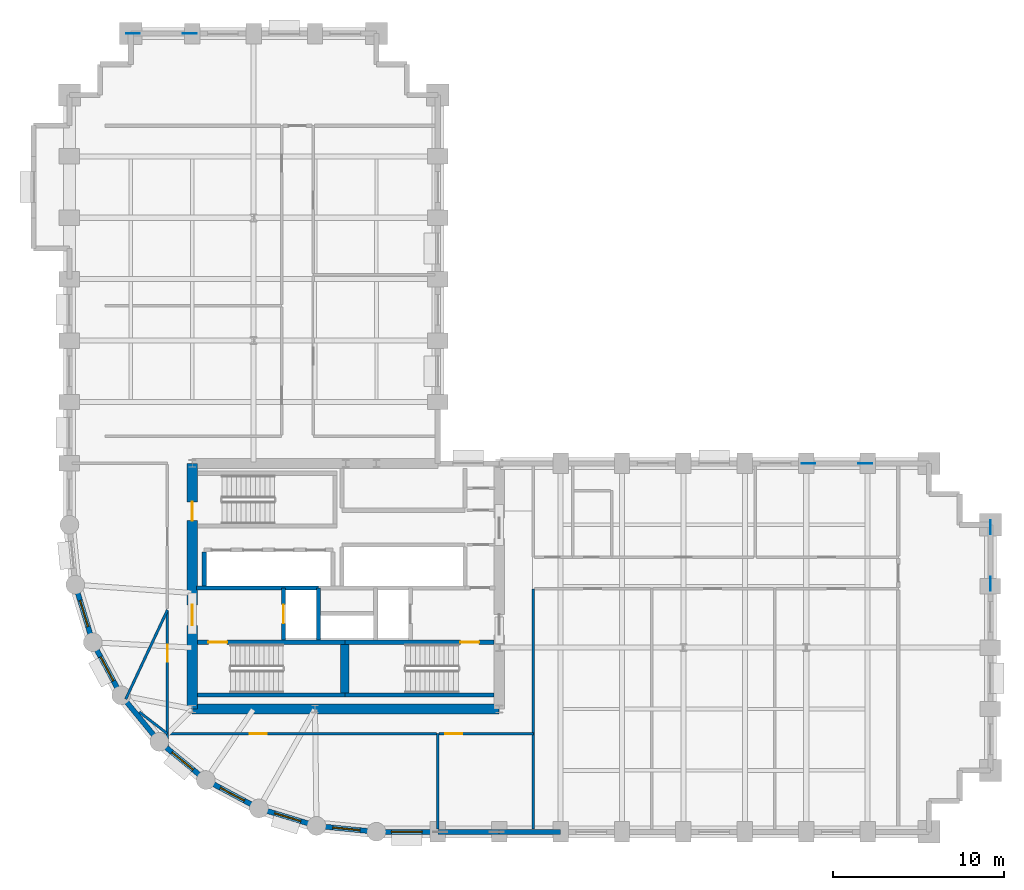
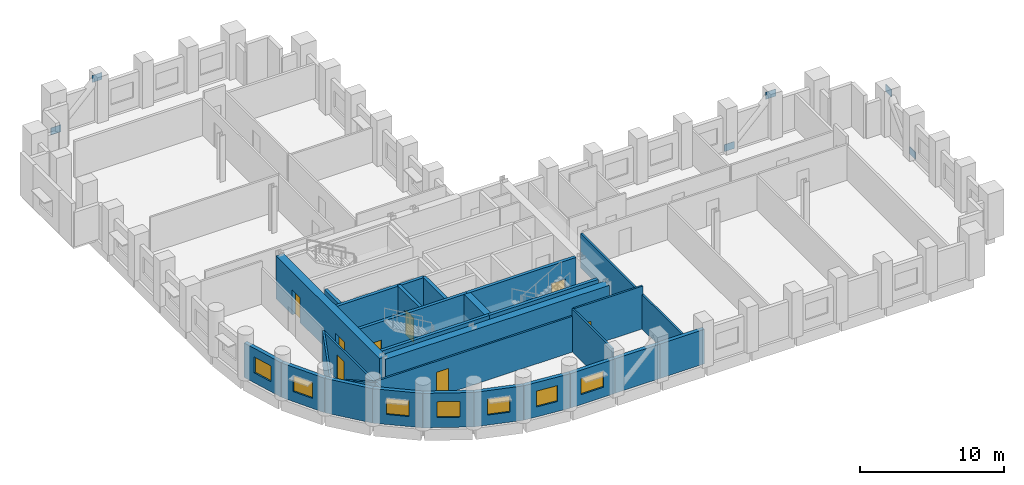
# One storey, part 5 of 11: 28 walls, 8 doors, 7 windows, 6 plates, 15 openings.
"""IFC4 building model written with IfcOpenShell, lengths in metres."""

import ifcopenshell
import ifcopenshell.guid

model = None  # the IFC model being written
_history = None  # IfcOwnerHistory: only IFC2X3 demands one
_inside = {}  # id of a spatial element -> (the spatial element, [elements in it])
_under = {}  # id of a project, library or spatial element -> (it, [spatial elements below it])
_declared = {}  # id of a project -> (the project, [libraries it declares])
_typed = {}  # id of a type object -> (the type object, [elements of that type])
_made_of = {}  # id of a material, layer set ... -> (it, [elements and type objects made of it])


def new_model(schema):
    """Start an empty IFC model of exactly this schema.

    Asked for "IFC4X3", IfcOpenShell would pick the latest addendum, in which some entities
    have other attributes; the version numbers below select the first issue.
    IFC2X3 requires an IfcOwnerHistory on every rooted entity: one is made here for all.
    """
    global model, _history
    if schema == "IFC4X3":
        model = ifcopenshell.file(schema_version=(4, 3, 0, 0))
    else:
        model = ifcopenshell.file(schema=schema)
    _inside.clear()
    _under.clear()
    _declared.clear()
    _typed.clear()
    _made_of.clear()
    _history = None
    if model.schema == "IFC2X3":
        org = make("IfcOrganization", Name="unknown")
        user = make(
            "IfcPersonAndOrganization",
            ThePerson=make("IfcPerson", FamilyName="unknown"),
            TheOrganization=org,
        )
        app = make(
            "IfcApplication",
            ApplicationDeveloper=org,
            Version="unknown",
            ApplicationFullName="unknown",
            ApplicationIdentifier="unknown",
        )
        _history = make(
            "IfcOwnerHistory",
            OwningUser=user,
            OwningApplication=app,
            ChangeAction="ADDED",
            CreationDate=0,
        )
    return model


def make(cls, **values):
    """One entity of the class cls with the attributes given. An attribute that is None is left unset."""
    return model.create_entity(
        cls, **{name: value for name, value in values.items() if value is not None}
    )


def rooted(cls, **values):
    """An entity with a GlobalId (a new one), such as an element, a storey or a relation."""
    return make(cls, GlobalId=ifcopenshell.guid.new(), OwnerHistory=_history, **values)


def si_unit(unit_type, name, prefix=None):
    """IfcSIUnit, for example si_unit("LENGTHUNIT", "METRE", prefix="MILLI")."""
    return make("IfcSIUnit", UnitType=unit_type, Prefix=prefix, Name=name)


def assignment(units):
    """IfcUnitAssignment: the units of a project."""
    return None if units is None else make("IfcUnitAssignment", Units=units)


def point(xyz):
    """IfcCartesianPoint."""
    return None if xyz is None else make("IfcCartesianPoint", Coordinates=xyz)


def direction(xyz):
    """IfcDirection."""
    return None if xyz is None else make("IfcDirection", DirectionRatios=xyz)


def frame(location, z_axis=None, x_axis=None):
    """IfcAxis2Placement3D, a coordinate frame: its origin and axes. An axis left out is left unset."""
    return make(
        "IfcAxis2Placement3D",
        Location=point(location),
        Axis=direction(z_axis),
        RefDirection=direction(x_axis),
    )


def frame_2d(location, x_axis=None):
    """IfcAxis2Placement2D, a coordinate frame in the plane: its origin and x axis."""
    return make(
        "IfcAxis2Placement2D", Location=point(location), RefDirection=direction(x_axis)
    )


def origin():
    """The frame at (0, 0, 0) with its axes left unset."""
    return frame((0.0, 0.0, 0.0))


def origin_2d():
    """The frame at (0, 0) in the plane with its x axis left unset."""
    return frame_2d((0.0, 0.0))


def place(relative_to, where):
    """IfcLocalPlacement: puts the frame where relative to a parent placement (None: the world)."""
    return make(
        "IfcLocalPlacement", PlacementRelTo=relative_to, RelativePlacement=where
    )


def context(
    kind, dimensions, precision=None, world=None, true_north=None, identifier=None
):
    """IfcGeometricRepresentationContext, for example the 3D "Model" context."""
    return make(
        "IfcGeometricRepresentationContext",
        ContextIdentifier=identifier,
        ContextType=kind,
        CoordinateSpaceDimension=dimensions,
        Precision=precision,
        WorldCoordinateSystem=world,
        TrueNorth=true_north,
    )


def subcontext(parent, identifier, kind, view, scale=None):
    """IfcGeometricRepresentationSubContext, for example "Body" below "Model"."""
    return make(
        "IfcGeometricRepresentationSubContext",
        ContextIdentifier=identifier,
        ContextType=kind,
        ParentContext=parent,
        TargetScale=scale,
        TargetView=view,
    )


def project(units=None, contexts=None):
    """IfcProject with its units and contexts."""
    return rooted(
        "IfcProject",
        Name="project",
        RepresentationContexts=contexts,
        UnitsInContext=assignment(units),
    )


def spatial(cls, under=None, at=None, **own):
    """A site, building, storey or space (cls), placed at a placement, below another one or the project."""
    s = rooted(cls, ObjectPlacement=at, **own)
    if under is not None:
        _under.setdefault(under.id(), (under, []))[1].append(s)
    return s


def profile(cls, at=None, kind="AREA", **sizes):
    """A parametric profile (cls). Its sizes go by their IFC names, for example OverallWidth=200.0."""
    return make(cls, ProfileType=kind, Position=at, **sizes)


def rectangle(**sizes):
    """IfcRectangleProfileDef."""
    return profile("IfcRectangleProfileDef", **sizes)


def extrude(swept, where, along, depth):
    """IfcExtrudedAreaSolid: the profile swept, set in the frame where, extruded along a direction by depth."""
    return make(
        "IfcExtrudedAreaSolid",
        SweptArea=swept,
        Position=where,
        ExtrudedDirection=direction(along),
        Depth=depth,
    )


def shape(context_of_items, identifier, shape_type, items):
    """IfcShapeRepresentation: the items that make up one representation, for example the "Body"."""
    return make(
        "IfcShapeRepresentation",
        ContextOfItems=context_of_items,
        RepresentationIdentifier=identifier,
        RepresentationType=shape_type,
        Items=items,
    )


def material(Name=None, Category=None):
    """IfcMaterial."""
    return make("IfcMaterial", Name=Name, Category=Category)


def layer(
    of_material, thickness, ventilated=None, Name=None, Category=None, Priority=None
):
    """IfcMaterialLayer: one layer of a wall or slab, of a material (None: an air gap)."""
    return make(
        "IfcMaterialLayer",
        Material=of_material,
        LayerThickness=thickness,
        IsVentilated=ventilated,
        Name=Name,
        Category=Category,
        Priority=Priority,
    )


def layer_set(layers, Name=None):
    """IfcMaterialLayerSet."""
    return make("IfcMaterialLayerSet", MaterialLayers=layers, LayerSetName=Name)


def made_of(thing, what):
    """Note that an element or type object is made of a material, layer set ...; save() writes the relation."""
    if what is not None:
        _made_of.setdefault(what.id(), (what, []))[1].append(thing)
    return thing


def type_object(cls, material=None, **own):
    """A type object (cls), such as IfcWallType, which elements share."""
    return made_of(rooted(cls, **own), material)


def element(
    cls,
    number,
    at=None,
    inside=None,
    cuts=None,
    type_object=None,
    material=None,
    context=None,
    identifier="Body",
    shape_type=None,
    held_by="IfcProductDefinitionShape",
    body=None,
    shapes=None,
    **own,
):
    """One element of the class cls, such as IfcWall. Its Tag is "e" and its number.

    at: its placement. inside: the storey or other place that contains it. cuts: it is an
    opening in that element (IfcRelVoidsElement). A single representation is given by context,
    identifier, shape_type and body (its items); several are given by shapes. held_by: the class
    of the entity that holds the representations. save() writes the other relations.
    """
    e = rooted(cls, Tag="e%d" % number, ObjectPlacement=at, **own)
    if body is not None:
        shapes = [shape(context, identifier, shape_type, body)]
    if shapes is not None:
        e.Representation = make(held_by, Representations=shapes)
    if inside is not None:
        _inside.setdefault(inside.id(), (inside, []))[1].append(e)
    if cuts is not None:
        rooted(
            "IfcRelVoidsElement", RelatingBuildingElement=cuts, RelatedOpeningElement=e
        )
    if type_object is not None:
        _typed.setdefault(type_object.id(), (type_object, []))[1].append(e)
    return made_of(e, material)


def fill(opening, filler):
    """IfcRelFillsElement: the door or window that sits in an opening."""
    return rooted(
        "IfcRelFillsElement",
        RelatingOpeningElement=opening,
        RelatedBuildingElement=filler,
    )


def aggregate(whole, parts):
    """IfcRelAggregates: a whole, such as a stair, and the parts it consists of."""
    return rooted("IfcRelAggregates", RelatingObject=whole, RelatedObjects=parts)


def save(model, path):
    """Write the relations noted so far, then the file.

    IfcRelAggregates (storeys below a building ...), IfcRelContainedInSpatialStructure (elements
    in a storey), IfcRelDefinesByType, IfcRelAssociatesMaterial and IfcRelDeclares: one each for
    every whole, place, type object, material and project.
    """
    for whole, parts in _under.values():
        aggregate(whole, parts)
    for where, things in _inside.values():
        rooted(
            "IfcRelContainedInSpatialStructure",
            RelatedElements=things,
            RelatingStructure=where,
        )
    for kind, things in _typed.values():
        rooted("IfcRelDefinesByType", RelatedObjects=things, RelatingType=kind)
    for what, things in _made_of.values():
        rooted("IfcRelAssociatesMaterial", RelatedObjects=things, RelatingMaterial=what)
    for by, libraries in _declared.values():
        rooted("IfcRelDeclares", RelatingContext=by, RelatedDefinitions=libraries)
    model.write(path)


model = new_model("IFC4")

# Units and contexts
model_context = context("Model", 3, precision=1e-05, world=origin(), true_north=direction((0.0, 1.0)))
body_context = subcontext(model_context, "Body", "Model", "MODEL_VIEW")
ifc_project = project(units=[si_unit("LENGTHUNIT", "METRE"), si_unit("AREAUNIT", "SQUARE_METRE"), si_unit("VOLUMEUNIT", "CUBIC_METRE"), si_unit("PLANEANGLEUNIT", "RADIAN"), si_unit("MASSUNIT", "GRAM", prefix="KILO")], contexts=[model_context])

# Site, building, storey
site_placement = place(None, origin())
site = spatial("IfcSite", under=ifc_project, at=site_placement, CompositionType="ELEMENT")
building_placement = place(site_placement, origin())
building = spatial("IfcBuilding", under=site, at=building_placement, Name="Solnavia Interchange Tower", CompositionType="ELEMENT")
storey_placement = place(building_placement, frame((0.0, 0.0, 47.39990234375)))
storey = spatial("IfcBuildingStorey", under=building, at=storey_placement, Name="L11", CompositionType="ELEMENT", Elevation=47.39990234375)

# Plates
ifc_material_1 = material(Name="Steel S460", Category="steel")
ifc_layer_1 = layer(ifc_material_1, 0.035888671875)
ifc_layer_set_1 = layer_set([ifc_layer_1], Name="Steel S460")
plate_type = type_object("IfcPlateType", Name="Plate-Gusset-800x600x36", PredefinedType="USERDEFINED", material=ifc_layer_set_1)
for number, where, z_axis, x_axis, name in (
    (1, (61.199951171875, 18.139892578125, -0.119873046875), (0.0, 0.0, 1.0), (0.0, 1.0, 0.0), "PLT-L11-GP03 Perimeter brace gusset plate"),
    (2, (61.199951171875, 21.4599609375, 3.170166015625), (0.0, 0.0, 1.0), (0.0, 1.0, 0.0), "PLT-L11-GP04 Perimeter brace gusset plate"),
    (3, (10.93994140625, 50.39990234375, -0.119873046875), (0.0, 0.0, 1.0), (1.0, 0.0, 0.0), "PLT-L11-GP05 Perimeter brace gusset plate"),
    (4, (14.260009765625, 50.39990234375, 3.170166015625), (0.0, 0.0, 1.0), (1.0, 0.0, 0.0), "PLT-L11-GP06 Perimeter brace gusset plate"),
    (5, (50.5400390625, 25.199951171875, -0.119873046875), (0.0, 0.0, 1.0), (1.0, 0.0, 0.0), "PLT-L11-GP07 Perimeter brace gusset plate"),
    (6, (53.860107421875, 25.199951171875, 3.170166015625), (0.0, 0.0, 1.0), (1.0, 0.0, 0.0), "PLT-L11-GP08 Perimeter brace gusset plate"),
):
    element("IfcPlate", number, at=place(storey_placement, frame(where, z_axis=z_axis, x_axis=x_axis)), inside=storey, type_object=plate_type, Name=name, ObjectType="GUSSET PLATE", PredefinedType="USERDEFINED", context=body_context, shape_type="SweptSolid", body=[
        extrude(rectangle(XDim=0.800048828125, YDim=0.035888671875, at=origin_2d()), origin(), (0.0, 0.0, 1.0), 0.60009765625),
    ])

# Wall, opening, window
ifc_material_2 = material(Name="Concrete C40/50", Category="concrete")
ifc_layer_2 = layer(ifc_material_2, 0.300048828125)
ifc_layer_set_2 = layer_set([ifc_layer_2], Name="Concrete C40/50")
wall_type_1 = type_object("IfcWallType", Name="Wall-ExtSpandrel-300", PredefinedType="STANDARD", material=ifc_layer_set_2)
wall_1_placement = place(storey_placement, frame((28.800048828125, 3.60009765625, 0.0), z_axis=(0.0, 0.0, 1.0), x_axis=(-1.0, 0.0, 0.0)))
wall_1 = element("IfcWall", 7, at=wall_1_placement, inside=storey, type_object=wall_type_1, Name="EXW-L11-01 Exterior precast spandrel wall", PredefinedType="STANDARD", context=body_context, shape_type="SweptSolid", body=[
    extrude(rectangle(XDim=3.60009765625, YDim=0.300048828125, at=frame_2d((1.800048828125, 0.0))), origin(), (0.0, 0.0, 1.0), 2.93017578125),
])
opening_1_placement = place(wall_1_placement, frame((0.925048828125, 0.0, 0.85009765625)))
opening_1 = element("IfcOpeningElement", 8, at=opening_1_placement, cuts=wall_1, Name="Opening WIN-02", PredefinedType="OPENING", context=body_context, shape_type="SweptSolid", body=[
    extrude(rectangle(XDim=1.800048828125, YDim=1.35009765625, at=frame_2d((0.89990234375, 0.675048828125))), frame((0.0, 0.16015625, 0.0), z_axis=(0.0, -1.0, 0.0), x_axis=(1.0, 0.0, 0.0)), (0.0, 0.0, 1.0), 0.320068359375),
])
ifc_material_3 = material(Name="Thermal-Break Aluminium & Low-E Glass", Category="aluminium")
window_type_1 = type_object("IfcWindowType", Name="Window-Ribbon-1800x1350", PartitioningType="SINGLE_PANEL", PredefinedType="WINDOW", material=ifc_material_3)
window_1_placement = place(opening_1_placement, origin())
window_1 = element("IfcWindow", 9, at=window_1_placement, inside=storey, type_object=window_type_1, Name="WIN-L11-01 Facade ribbon window", OverallHeight=1.35009765625, OverallWidth=1.800048828125, PartitioningType="SINGLE_PANEL", PredefinedType="WINDOW", context=body_context, shape_type="SweptSolid", body=[
    extrude(rectangle(XDim=1.800048828125, YDim=1.35009765625, at=frame_2d((0.89990234375, 0.675048828125))), frame((0.0, 0.030029296875, 0.0), z_axis=(0.0, -1.0, 0.0), x_axis=(1.0, 0.0, 0.0)), (0.0, 0.0, 1.0), 0.06005859375),
])
fill(opening_1, window_1)

# Walls
wall_2_placement = place(storey_placement, frame((32.39990234375, 3.60009765625, 0.0), z_axis=(0.0, 0.0, 1.0), x_axis=(-1.0, 0.0, 0.0)))
element("IfcWall", 10, at=wall_2_placement, inside=storey, type_object=wall_type_1, Name="EXW-L11-02 Exterior precast spandrel wall", PredefinedType="STANDARD", context=body_context, shape_type="SweptSolid", body=[
    extrude(rectangle(XDim=3.599853515625, YDim=0.300048828125, at=frame_2d((1.7998046875, 0.0))), origin(), (0.0, 0.0, 1.0), 2.93017578125),
])
wall_3_placement = place(storey_placement, frame((36.0, 3.60009765625, 0.0), z_axis=(0.0, 0.0, 1.0), x_axis=(-1.0, 0.0, 0.0)))
element("IfcWall", 11, at=wall_3_placement, inside=storey, type_object=wall_type_1, Name="EXW-L11-03 Exterior precast spandrel wall", PredefinedType="STANDARD", context=body_context, shape_type="SweptSolid", body=[
    extrude(rectangle(XDim=3.60009765625, YDim=0.300048828125, at=frame_2d((1.800048828125, 0.0))), origin(), (0.0, 0.0, 1.0), 2.93017578125),
])

# Wall, opening, window
wall_4_placement = place(storey_placement, frame((8.570068359375, 14.7119140625, 0.0), z_axis=(0.0, 0.0, 1.0), x_axis=(-0.290305086481, 0.956934144423, 0.0)))
wall_4 = element("IfcWall", 12, at=wall_4_placement, inside=storey, type_object=wall_type_1, Name="EXW-L11-60 Exterior precast spandrel wall", PredefinedType="STANDARD", context=body_context, shape_type="SweptSolid", body=[
    extrude(rectangle(XDim=3.52783203125, YDim=0.300048828125, at=frame_2d((1.763916015625, 0.0))), origin(), (0.0, 0.0, 1.0), 2.93017578125),
])
opening_2_placement = place(wall_4_placement, frame((0.964111328125, 0.0, 0.85009765625)))
opening_2 = element("IfcOpeningElement", 13, at=opening_2_placement, cuts=wall_4, Name="Opening WIN-04", PredefinedType="OPENING", context=body_context, shape_type="SweptSolid", body=[
    extrude(rectangle(XDim=1.60009765625, YDim=1.35009765625, at=frame_2d((0.800048828125, 0.675048828125))), frame((0.0, 0.16015625, 0.0), z_axis=(0.0, -1.0, 0.0), x_axis=(1.0, 0.0, 0.0)), (0.0, 0.0, 1.0), 0.320068359375),
])
window_type_2 = type_object("IfcWindowType", Name="Window-Drum-1600x1350", PartitioningType="SINGLE_PANEL", PredefinedType="WINDOW", material=ifc_material_3)
window_2_placement = place(opening_2_placement, origin())
window_2 = element("IfcWindow", 14, at=window_2_placement, inside=storey, type_object=window_type_2, Name="WIN-L11-60 Facade ribbon window", OverallHeight=1.35009765625, OverallWidth=1.60009765625, PartitioningType="SINGLE_PANEL", PredefinedType="WINDOW", context=body_context, shape_type="SweptSolid", body=[
    extrude(rectangle(XDim=1.60009765625, YDim=1.35009765625, at=frame_2d((0.800048828125, 0.675048828125))), frame((0.0, 0.030029296875, 0.0), z_axis=(0.0, -1.0, 0.0), x_axis=(1.0, 0.0, 0.0)), (0.0, 0.0, 1.0), 0.06005859375),
])
fill(opening_2, window_2)

wall_5_placement = place(storey_placement, frame((10.23388671875, 11.60009765625, 0.0), z_axis=(0.0, 0.0, 1.0), x_axis=(-0.47151087309, 0.881860247748, 0.0)))
wall_5 = element("IfcWall", 15, at=wall_5_placement, inside=storey, type_object=wall_type_1, Name="EXW-L11-61 Exterior precast spandrel wall", PredefinedType="STANDARD", context=body_context, shape_type="SweptSolid", body=[
    extrude(rectangle(XDim=3.52880859375, YDim=0.300048828125, at=frame_2d((1.764404296875, 0.0))), origin(), (0.0, 0.0, 1.0), 2.93017578125),
])
opening_3_placement = place(wall_5_placement, frame((0.964111328125, 0.0, 0.85009765625)))
opening_3 = element("IfcOpeningElement", 16, at=opening_3_placement, cuts=wall_5, Name="Opening WIN-04", PredefinedType="OPENING", context=body_context, shape_type="SweptSolid", body=[
    extrude(rectangle(XDim=1.60009765625, YDim=1.35009765625, at=frame_2d((0.800048828125, 0.675048828125))), frame((0.0, 0.16015625, 0.0), z_axis=(0.0, -1.0, 0.0), x_axis=(1.0, 0.0, 0.0)), (0.0, 0.0, 1.0), 0.320068359375),
])
window_3_placement = place(opening_3_placement, origin())
window_3 = element("IfcWindow", 17, at=window_3_placement, inside=storey, type_object=window_type_2, Name="WIN-L11-61 Facade ribbon window", OverallHeight=1.35009765625, OverallWidth=1.60009765625, PartitioningType="SINGLE_PANEL", PredefinedType="WINDOW", context=body_context, shape_type="SweptSolid", body=[
    extrude(rectangle(XDim=1.60009765625, YDim=1.35009765625, at=frame_2d((0.800048828125, 0.675048828125))), frame((0.0, 0.030029296875, 0.0), z_axis=(0.0, -1.0, 0.0), x_axis=(1.0, 0.0, 0.0)), (0.0, 0.0, 1.0), 0.06005859375),
])
fill(opening_3, window_3)

# Wall
wall_6_placement = place(storey_placement, frame((12.471923828125, 8.8720703125, 0.0), z_axis=(0.0, 0.0, 1.0), x_axis=(-0.634258295121, 0.773121216285, 0.0)))
element("IfcWall", 18, at=wall_6_placement, inside=storey, type_object=wall_type_1, Name="EXW-L11-62 Exterior precast spandrel wall", PredefinedType="STANDARD", context=body_context, shape_type="SweptSolid", body=[
    extrude(rectangle(XDim=3.528564453125, YDim=0.300048828125, at=frame_2d((1.76416015625, 0.0))), origin(), (0.0, 0.0, 1.0), 2.93017578125),
])

# Wall, opening, window
wall_7_placement = place(storey_placement, frame((15.199951171875, 6.634033203125, 0.0), z_axis=(0.0, 0.0, 1.0), x_axis=(-0.773121216285, 0.634258295121, 0.0)))
wall_7 = element("IfcWall", 19, at=wall_7_placement, inside=storey, type_object=wall_type_1, Name="EXW-L11-63 Exterior precast spandrel wall", PredefinedType="STANDARD", context=body_context, shape_type="SweptSolid", body=[
    extrude(rectangle(XDim=3.528564453125, YDim=0.300048828125, at=frame_2d((1.76416015625, 0.0))), origin(), (0.0, 0.0, 1.0), 2.93017578125),
])
opening_4_placement = place(wall_7_placement, frame((0.964111328125, 0.0, 0.85009765625)))
opening_4 = element("IfcOpeningElement", 20, at=opening_4_placement, cuts=wall_7, Name="Opening WIN-04", PredefinedType="OPENING", context=body_context, shape_type="SweptSolid", body=[
    extrude(rectangle(XDim=1.60009765625, YDim=1.35009765625, at=frame_2d((0.800048828125, 0.675048828125))), frame((0.0, 0.16015625, 0.0), z_axis=(0.0, -1.0, 0.0), x_axis=(1.0, 0.0, 0.0)), (0.0, 0.0, 1.0), 0.320068359375),
])
window_4_placement = place(opening_4_placement, origin())
window_4 = element("IfcWindow", 21, at=window_4_placement, inside=storey, type_object=window_type_2, Name="WIN-L11-63 Facade ribbon window", OverallHeight=1.35009765625, OverallWidth=1.60009765625, PartitioningType="SINGLE_PANEL", PredefinedType="WINDOW", context=body_context, shape_type="SweptSolid", body=[
    extrude(rectangle(XDim=1.60009765625, YDim=1.35009765625, at=frame_2d((0.800048828125, 0.675048828125))), frame((0.0, 0.030029296875, 0.0), z_axis=(0.0, -1.0, 0.0), x_axis=(1.0, 0.0, 0.0)), (0.0, 0.0, 1.0), 0.06005859375),
])
fill(opening_4, window_4)

wall_8_placement = place(storey_placement, frame((18.31201171875, 4.969970703125, 0.0), z_axis=(0.0, 0.0, 1.0), x_axis=(-0.881846862014, 0.471535907389, 0.0)))
wall_8 = element("IfcWall", 22, at=wall_8_placement, inside=storey, type_object=wall_type_1, Name="EXW-L11-64 Exterior precast spandrel wall", PredefinedType="STANDARD", context=body_context, shape_type="SweptSolid", body=[
    extrude(rectangle(XDim=3.529052734375, YDim=0.300048828125, at=frame_2d((1.7646484375, 0.0))), origin(), (0.0, 0.0, 1.0), 2.93017578125),
])
opening_5_placement = place(wall_8_placement, frame((0.964111328125, 0.0, 0.85009765625)))
opening_5 = element("IfcOpeningElement", 23, at=opening_5_placement, cuts=wall_8, Name="Opening WIN-04", PredefinedType="OPENING", context=body_context, shape_type="SweptSolid", body=[
    extrude(rectangle(XDim=1.60009765625, YDim=1.35009765625, at=frame_2d((0.800048828125, 0.675048828125))), frame((0.0, 0.16015625, 0.0), z_axis=(0.0, -1.0, 0.0), x_axis=(1.0, 0.0, 0.0)), (0.0, 0.0, 1.0), 0.320068359375),
])
window_5_placement = place(opening_5_placement, origin())
window_5 = element("IfcWindow", 24, at=window_5_placement, inside=storey, type_object=window_type_2, Name="WIN-L11-64 Facade ribbon window", OverallHeight=1.35009765625, OverallWidth=1.60009765625, PartitioningType="SINGLE_PANEL", PredefinedType="WINDOW", context=body_context, shape_type="SweptSolid", body=[
    extrude(rectangle(XDim=1.60009765625, YDim=1.35009765625, at=frame_2d((0.800048828125, 0.675048828125))), frame((0.0, 0.030029296875, 0.0), z_axis=(0.0, -1.0, 0.0), x_axis=(1.0, 0.0, 0.0)), (0.0, 0.0, 1.0), 0.06005859375),
])
fill(opening_5, window_5)

wall_9_placement = place(storey_placement, frame((21.68798828125, 3.946044921875, 0.0), z_axis=(0.0, 0.0, 1.0), x_axis=(-0.956953367403, 0.290241714123, 0.0)))
wall_9 = element("IfcWall", 25, at=wall_9_placement, inside=storey, type_object=wall_type_1, Name="EXW-L11-65 Exterior precast spandrel wall", PredefinedType="STANDARD", context=body_context, shape_type="SweptSolid", body=[
    extrude(rectangle(XDim=3.52783203125, YDim=0.300048828125, at=frame_2d((1.763916015625, 0.0))), origin(), (0.0, 0.0, 1.0), 2.93017578125),
])
opening_6_placement = place(wall_9_placement, frame((0.964111328125, 0.0, 0.85009765625)))
opening_6 = element("IfcOpeningElement", 26, at=opening_6_placement, cuts=wall_9, Name="Opening WIN-04", PredefinedType="OPENING", context=body_context, shape_type="SweptSolid", body=[
    extrude(rectangle(XDim=1.60009765625, YDim=1.35009765625, at=frame_2d((0.800048828125, 0.675048828125))), frame((0.0, 0.16015625, 0.0), z_axis=(0.0, -1.0, 0.0), x_axis=(1.0, 0.0, 0.0)), (0.0, 0.0, 1.0), 0.320068359375),
])
window_6_placement = place(opening_6_placement, origin())
window_6 = element("IfcWindow", 27, at=window_6_placement, inside=storey, type_object=window_type_2, Name="WIN-L11-65 Facade ribbon window", OverallHeight=1.35009765625, OverallWidth=1.60009765625, PartitioningType="SINGLE_PANEL", PredefinedType="WINDOW", context=body_context, shape_type="SweptSolid", body=[
    extrude(rectangle(XDim=1.60009765625, YDim=1.35009765625, at=frame_2d((0.800048828125, 0.675048828125))), frame((0.0, 0.030029296875, 0.0), z_axis=(0.0, -1.0, 0.0), x_axis=(1.0, 0.0, 0.0)), (0.0, 0.0, 1.0), 0.06005859375),
])
fill(opening_6, window_6)

wall_10_placement = place(storey_placement, frame((25.199951171875, 3.60009765625, 0.0), z_axis=(0.0, 0.0, 1.0), x_axis=(-0.995183369056, 0.098030923459, 0.0)))
wall_10 = element("IfcWall", 28, at=wall_10_placement, inside=storey, type_object=wall_type_1, Name="EXW-L11-66 Exterior precast spandrel wall", PredefinedType="STANDARD", context=body_context, shape_type="SweptSolid", body=[
    extrude(rectangle(XDim=3.529052734375, YDim=0.300048828125, at=frame_2d((1.7646484375, 0.0))), origin(), (0.0, 0.0, 1.0), 2.93017578125),
])
opening_7_placement = place(wall_10_placement, frame((0.965087890625, 0.0, 0.85009765625)))
opening_7 = element("IfcOpeningElement", 29, at=opening_7_placement, cuts=wall_10, Name="Opening WIN-04", PredefinedType="OPENING", context=body_context, shape_type="SweptSolid", body=[
    extrude(rectangle(XDim=1.60009765625, YDim=1.35009765625, at=frame_2d((0.800048828125, 0.675048828125))), frame((0.0, 0.16015625, 0.0), z_axis=(0.0, -1.0, 0.0), x_axis=(1.0, 0.0, 0.0)), (0.0, 0.0, 1.0), 0.320068359375),
])
window_7_placement = place(opening_7_placement, origin())
window_7 = element("IfcWindow", 30, at=window_7_placement, inside=storey, type_object=window_type_2, Name="WIN-L11-66 Facade ribbon window", OverallHeight=1.35009765625, OverallWidth=1.60009765625, PartitioningType="SINGLE_PANEL", PredefinedType="WINDOW", context=body_context, shape_type="SweptSolid", body=[
    extrude(rectangle(XDim=1.60009765625, YDim=1.35009765625, at=frame_2d((0.800048828125, 0.675048828125))), frame((0.0, 0.030029296875, 0.0), z_axis=(0.0, -1.0, 0.0), x_axis=(1.0, 0.0, 0.0)), (0.0, 0.0, 1.0), 0.06005859375),
])
fill(opening_7, window_7)

# Walls
ifc_material_4 = material(Name="Gypsum Plasterboard & Steel Stud", Category="steel")
ifc_layer_3 = layer(ifc_material_4, 0.14990234375)
ifc_layer_set_3 = layer_set([ifc_layer_3], Name="Gypsum Plasterboard & Steel Stud")
wall_type_2 = type_object("IfcWallType", Name="Wall-Partition-150", PredefinedType="PARTITIONING", material=ifc_layer_set_3)
wall_11_placement = place(storey_placement, frame((28.800048828125, 9.35009765625, 0.0), z_axis=(0.0, 0.0, 1.0), x_axis=(0.0, -1.0, 0.0)))
element("IfcWall", 31, at=wall_11_placement, inside=storey, type_object=wall_type_2, Name="PTW-L11-08 Interior partition wall", PredefinedType="PARTITIONING", context=body_context, shape_type="SweptSolid", body=[
    extrude(rectangle(XDim=5.59619140625, YDim=0.14990234375, at=frame_2d((2.798095703125, 0.0))), origin(), (0.0, 0.0, 1.0), 3.635009765625),
])
wall_12_placement = place(storey_placement, frame((12.949951171875, 9.35009765625, 0.0), z_axis=(0.0, 0.0, 1.0), x_axis=(-0.791573423038, 0.611074067474, 0.0)))
element("IfcWall", 32, at=wall_12_placement, inside=storey, type_object=wall_type_2, Name="PTW-L11-09 Interior partition wall", PredefinedType="PARTITIONING", context=body_context, shape_type="SweptSolid", body=[
    extrude(rectangle(XDim=2.084228515625, YDim=0.14990234375, at=frame_2d((1.0419921875, 0.0))), origin(), (0.0, 0.0, 1.0), 2.93017578125),
])
wall_13_placement = place(storey_placement, frame((12.949951171875, 16.60009765625, 0.0), z_axis=(0.0, 0.0, 1.0), x_axis=(-0.424335060038, -0.905505249473, 0.0)))
element("IfcWall", 33, at=wall_13_placement, inside=storey, type_object=wall_type_2, Name="PTW-L11-10 Interior partition wall", PredefinedType="PARTITIONING", context=body_context, shape_type="SweptSolid", body=[
    extrude(rectangle(XDim=5.760498046875, YDim=0.14990234375, at=frame_2d((2.88037109375, 0.0))), origin(), (0.0, 0.0, 1.0), 2.93017578125),
])

# Wall, opening, door
wall_14_placement = place(storey_placement, frame((12.949951171875, 8.6337890625, 0.0), z_axis=(0.0, 0.0, 1.0), x_axis=(0.0, 1.0, 0.0)))
wall_14 = element("IfcWall", 34, at=wall_14_placement, inside=storey, type_object=wall_type_2, Name="PTW-L11-12 Interior partition wall", PredefinedType="PARTITIONING", context=body_context, shape_type="SweptSolid", body=[
    extrude(rectangle(XDim=7.88720703125, YDim=0.14990234375, at=frame_2d((3.943603515625, 0.0))), origin(), (0.0, 0.0, 1.0), 2.93017578125),
])
opening_8_placement = place(wall_14_placement, frame((4.947021484375, 0.0, 0.0)))
opening_8 = element("IfcOpeningElement", 35, at=opening_8_placement, cuts=wall_14, Name="Opening DR-07", PredefinedType="OPENING", context=body_context, shape_type="SweptSolid", body=[
    extrude(rectangle(XDim=1.0, YDim=2.10009765625, at=frame_2d((0.5, 1.050048828125))), frame((0.0, 0.0849609375, 0.0), z_axis=(0.0, -1.0, 0.0), x_axis=(1.0, 0.0, 0.0)), (0.0, 0.0, 1.0), 0.169921875),
])
ifc_material_5 = material(Name="Timber & Acoustic Glazed Office Door", Category="wood")
door_type_1 = type_object("IfcDoorType", Name="Door-Office-1000x2100", OperationType="SINGLE_SWING_RIGHT", PredefinedType="DOOR", material=ifc_material_5)
door_1_placement = place(opening_8_placement, origin())
door_1 = element("IfcDoor", 36, at=door_1_placement, inside=storey, type_object=door_type_1, Name="DR-L11-04 Interior room door", OperationType="SINGLE_SWING_RIGHT", OverallHeight=2.10009765625, OverallWidth=1.0, PredefinedType="DOOR", context=body_context, shape_type="SweptSolid", body=[
    extrude(rectangle(XDim=1.0, YDim=2.10009765625, at=frame_2d((0.5, 1.050048828125))), frame((0.0, 0.02490234375, 0.0), z_axis=(0.0, -1.0, 0.0), x_axis=(1.0, 0.0, 0.0)), (0.0, 0.0, 1.0), 0.050048828125),
])
fill(opening_8, door_1)

wall_15_placement = place(storey_placement, frame((12.949951171875, 9.35009765625, 0.0), z_axis=(0.0, 0.0, 1.0), x_axis=(1.0, 0.0, 0.0)))
wall_15 = element("IfcWall", 37, at=wall_15_placement, inside=storey, type_object=wall_type_2, Name="PTW-L11-13 Interior partition wall", PredefinedType="PARTITIONING", context=body_context, shape_type="SweptSolid", body=[
    extrude(rectangle(XDim=15.77099609375, YDim=0.14990234375, at=frame_2d((7.885498046875, 0.0))), origin(), (0.0, 0.0, 1.0), 3.0400390625),
])
opening_9_placement = place(wall_15_placement, frame((4.8359375, 0.0, 0.0)))
opening_9 = element("IfcOpeningElement", 38, at=opening_9_placement, cuts=wall_15, Name="Opening DR-07", PredefinedType="OPENING", context=body_context, shape_type="SweptSolid", body=[
    extrude(rectangle(XDim=1.0, YDim=2.10009765625, at=frame_2d((0.5, 1.050048828125))), frame((0.0, 0.0849609375, 0.0), z_axis=(0.0, -1.0, 0.0), x_axis=(1.0, 0.0, 0.0)), (0.0, 0.0, 1.0), 0.169921875),
])
door_2_placement = place(opening_9_placement, origin())
door_2 = element("IfcDoor", 39, at=door_2_placement, inside=storey, type_object=door_type_1, Name="DR-L11-05 Interior room door", OperationType="SINGLE_SWING_LEFT", OverallHeight=2.10009765625, OverallWidth=1.0, PredefinedType="DOOR", context=body_context, shape_type="SweptSolid", body=[
    extrude(rectangle(XDim=1.0, YDim=2.10009765625, at=frame_2d((0.5, 1.050048828125))), frame((0.0, 0.02490234375, 0.0), z_axis=(0.0, -1.0, 0.0), x_axis=(1.0, 0.0, 0.0)), (0.0, 0.0, 1.0), 0.050048828125),
])
fill(opening_9, door_2)

wall_16_placement = place(storey_placement, frame((28.87890625, 9.35009765625, 0.0), z_axis=(0.0, 0.0, 1.0), x_axis=(1.0, 0.0, 0.0)))
wall_16 = element("IfcWall", 40, at=wall_16_placement, inside=storey, type_object=wall_type_2, Name="PTW-L11-14 Interior partition wall", PredefinedType="PARTITIONING", context=body_context, shape_type="SweptSolid", body=[
    extrude(rectangle(XDim=5.52099609375, YDim=0.14990234375, at=frame_2d((2.760498046875, 0.0))), origin(), (0.0, 0.0, 1.0), 3.635009765625),
])
opening_10_placement = place(wall_16_placement, frame((0.360107421875, 0.0, 0.0)))
opening_10 = element("IfcOpeningElement", 41, at=opening_10_placement, cuts=wall_16, Name="Opening DR-07", PredefinedType="OPENING", context=body_context, shape_type="SweptSolid", body=[
    extrude(rectangle(XDim=1.0, YDim=2.10009765625, at=frame_2d((0.5, 1.050048828125))), frame((0.0, 0.0849609375, 0.0), z_axis=(0.0, -1.0, 0.0), x_axis=(1.0, 0.0, 0.0)), (0.0, 0.0, 1.0), 0.169921875),
])
door_3_placement = place(opening_10_placement, origin())
door_3 = element("IfcDoor", 42, at=door_3_placement, inside=storey, type_object=door_type_1, Name="DR-L11-06 Interior room door", OperationType="SINGLE_SWING_LEFT", OverallHeight=2.10009765625, OverallWidth=1.0, PredefinedType="DOOR", context=body_context, shape_type="SweptSolid", body=[
    extrude(rectangle(XDim=1.0, YDim=2.10009765625, at=frame_2d((0.5, 1.050048828125))), frame((0.0, 0.02490234375, 0.0), z_axis=(0.0, -1.0, 0.0), x_axis=(1.0, 0.0, 0.0)), (0.0, 0.0, 1.0), 0.050048828125),
])
fill(opening_10, door_3)

# Walls
wall_17_placement = place(storey_placement, frame((34.39990234375, 3.75390625, 0.0), z_axis=(0.0, 0.0, 1.0), x_axis=(0.0, 1.0, 0.0)))
element("IfcWall", 43, at=wall_17_placement, inside=storey, type_object=wall_type_2, Name="PTW-L11-15 Interior partition wall", PredefinedType="PARTITIONING", context=body_context, shape_type="SweptSolid", body=[
    extrude(rectangle(XDim=14.09619140625, YDim=0.14990234375, at=frame_2d((7.048095703125, 0.0))), origin(), (0.0, 0.0, 1.0), 2.93017578125),
])
ifc_layer_4 = layer(ifc_material_2, 0.25)
ifc_layer_set_4 = layer_set([ifc_layer_4], Name="Concrete C40/50")
wall_type_3 = type_object("IfcWallType", Name="Wall-ShaftCore-250", PredefinedType="SHEAR", material=ifc_layer_set_4)
wall_18_placement = place(storey_placement, frame((14.699951171875, 11.625, 0.0), z_axis=(0.0, 0.0, 1.0), x_axis=(1.0, 0.0, 0.0)))
element("IfcWall", 44, at=wall_18_placement, inside=storey, type_object=wall_type_3, Name="SHW-L11-ST1S Core shear wall", PredefinedType="SHEAR", context=body_context, shape_type="SweptSolid", body=[
    extrude(rectangle(XDim=8.650146484375, YDim=0.25, at=frame_2d((4.3251953125, 0.0))), origin(), (0.0, 0.0, 1.0), 3.650146484375),
])

# Wall, opening, door
wall_19_placement = place(storey_placement, frame((14.699951171875, 14.715087890625, 0.0), z_axis=(0.0, 0.0, 1.0), x_axis=(1.0, 0.0, 0.0)))
wall_19 = element("IfcWall", 45, at=wall_19_placement, inside=storey, type_object=wall_type_3, Name="SHW-L11-ST1N Core shear wall", PredefinedType="SHEAR", context=body_context, shape_type="SweptSolid", body=[
    extrude(rectangle(XDim=8.650146484375, YDim=0.25, at=frame_2d((4.3251953125, 0.0))), origin(), (0.0, 0.0, 1.0), 3.650146484375),
])
opening_11_placement = place(wall_19_placement, frame((0.655029296875, 0.0, 0.0)))
opening_11 = element("IfcOpeningElement", 46, at=opening_11_placement, cuts=wall_19, Name="Opening DR-01", PredefinedType="OPENING", context=body_context, shape_type="SweptSolid", body=[
    extrude(rectangle(XDim=1.10009765625, YDim=2.10009765625, at=frame_2d((0.550048828125, 1.050048828125))), frame((0.0, 0.135009765625, 0.0), z_axis=(0.0, -1.0, 0.0), x_axis=(1.0, 0.0, 0.0)), (0.0, 0.0, 1.0), 0.27001953125),
])
ifc_material_6 = material(Name="Steel Fire-Rated Leaf & Frame", Category="steel")
door_type_2 = type_object("IfcDoorType", Name="Door-StairFire-1100x2100", OperationType="SINGLE_SWING_LEFT", PredefinedType="DOOR", material=ifc_material_6)
door_4_placement = place(opening_11_placement, origin())
door_4 = element("IfcDoor", 47, at=door_4_placement, inside=storey, type_object=door_type_2, Name="DR-L11-ST1 Core fire door", OperationType="SINGLE_SWING_LEFT", OverallHeight=2.10009765625, OverallWidth=1.10009765625, PredefinedType="DOOR", context=body_context, shape_type="SweptSolid", body=[
    extrude(rectangle(XDim=1.10009765625, YDim=2.10009765625, at=frame_2d((0.550048828125, 1.050048828125))), frame((0.0, 0.02490234375, 0.0), z_axis=(0.0, -1.0, 0.0), x_axis=(1.0, 0.0, 0.0)), (0.0, 0.0, 1.0), 0.050048828125),
])
fill(opening_11, door_4)

# Wall
wall_20_placement = place(storey_placement, frame((23.35009765625, 11.625, 0.0), z_axis=(0.0, 0.0, 1.0), x_axis=(1.0, 0.0, 0.0)))
element("IfcWall", 48, at=wall_20_placement, inside=storey, type_object=wall_type_3, Name="SHW-L11-ST2S Core shear wall", PredefinedType="SHEAR", context=body_context, shape_type="SweptSolid", body=[
    extrude(rectangle(XDim=8.75, YDim=0.25, at=frame_2d((4.375, 0.0))), origin(), (0.0, 0.0, 1.0), 3.650146484375),
])

# Wall, opening, door
wall_21_placement = place(storey_placement, frame((23.35009765625, 14.715087890625, 0.0), z_axis=(0.0, 0.0, 1.0), x_axis=(1.0, 0.0, 0.0)))
wall_21 = element("IfcWall", 49, at=wall_21_placement, inside=storey, type_object=wall_type_3, Name="SHW-L11-ST2N Core shear wall", PredefinedType="SHEAR", context=body_context, shape_type="SweptSolid", body=[
    extrude(rectangle(XDim=8.75, YDim=0.25, at=frame_2d((4.375, 0.0))), origin(), (0.0, 0.0, 1.0), 3.650146484375),
])
opening_12_placement = place(wall_21_placement, frame((6.77490234375, 0.0, 0.0)))
opening_12 = element("IfcOpeningElement", 50, at=opening_12_placement, cuts=wall_21, Name="Opening DR-01", PredefinedType="OPENING", context=body_context, shape_type="SweptSolid", body=[
    extrude(rectangle(XDim=1.10009765625, YDim=2.10009765625, at=frame_2d((0.550048828125, 1.050048828125))), frame((0.0, 0.135009765625, 0.0), z_axis=(0.0, -1.0, 0.0), x_axis=(1.0, 0.0, 0.0)), (0.0, 0.0, 1.0), 0.27001953125),
])
door_5_placement = place(opening_12_placement, origin())
door_5 = element("IfcDoor", 51, at=door_5_placement, inside=storey, type_object=door_type_2, Name="DR-L11-ST2 Core fire door", OperationType="SINGLE_SWING_LEFT", OverallHeight=2.10009765625, OverallWidth=1.10009765625, PredefinedType="DOOR", context=body_context, shape_type="SweptSolid", body=[
    extrude(rectangle(XDim=1.10009765625, YDim=2.10009765625, at=frame_2d((0.550048828125, 1.050048828125))), frame((0.0, 0.02490234375, 0.0), z_axis=(0.0, -1.0, 0.0), x_axis=(1.0, 0.0, 0.0)), (0.0, 0.0, 1.0), 0.050048828125),
])
fill(opening_12, door_5)

# Wall
ifc_layer_5 = layer(ifc_material_2, 0.25)
ifc_layer_set_5 = layer_set([ifc_layer_5], Name="Concrete C40/50")
wall_type_4 = type_object("IfcWallType", Name="Wall-ShaftPart-250", PredefinedType="PARTITIONING", material=ifc_layer_set_5)
wall_22_placement = place(storey_placement, frame((14.64990234375, 17.89990234375, 0.0), z_axis=(0.0, 0.0, 1.0), x_axis=(1.0, 0.0, 0.0)))
element("IfcWall", 52, at=wall_22_placement, inside=storey, type_object=wall_type_4, Name="SHW-L11-FFLW-N Core shaft wall", PredefinedType="PARTITIONING", context=body_context, shape_type="SweptSolid", body=[
    extrude(rectangle(XDim=7.150146484375, YDim=0.25, at=frame_2d((3.5751953125, 0.0))), origin(), (0.0, 0.0, 1.0), 3.635009765625),
])

# Wall, opening, door
wall_23_placement = place(storey_placement, frame((19.75, 14.840087890625, 0.0), z_axis=(0.0, 0.0, 1.0), x_axis=(0.0, 1.0, 0.0)))
wall_23 = element("IfcWall", 53, at=wall_23_placement, inside=storey, type_object=wall_type_4, Name="SHW-L11-FFL1-W Core shaft wall", PredefinedType="PARTITIONING", context=body_context, shape_type="SweptSolid", body=[
    extrude(rectangle(XDim=3.059814453125, YDim=0.25, at=frame_2d((1.52978515625, 0.0))), origin(), (0.0, 0.0, 1.0), 3.635009765625),
])
opening_13_placement = place(wall_23_placement, frame((0.97998046875, 0.0, 0.0)))
opening_13 = element("IfcOpeningElement", 54, at=opening_13_placement, cuts=wall_23, Name="Opening LD-01", PredefinedType="OPENING", context=body_context, shape_type="SweptSolid", body=[
    extrude(rectangle(XDim=1.10009765625, YDim=2.10009765625, at=frame_2d((0.550048828125, 1.050048828125))), frame((0.0, 0.135009765625, 0.0), z_axis=(0.0, -1.0, 0.0), x_axis=(1.0, 0.0, 0.0)), (0.0, 0.0, 1.0), 0.27001953125),
])
ifc_material_7 = material(Name="Brushed Stainless Steel Sliding Door", Category="steel")
door_type_3 = type_object("IfcDoorType", Name="Door-LiftLanding-1100x2100", OperationType="SLIDING_TO_LEFT", PredefinedType="DOOR", material=ifc_material_7)
door_6_placement = place(opening_13_placement, origin())
door_6 = element("IfcDoor", 55, at=door_6_placement, inside=storey, type_object=door_type_3, Name="LD-L11-FFL1 Lift landing sliding door", OperationType="SLIDING_TO_LEFT", OverallHeight=2.10009765625, OverallWidth=1.10009765625, PredefinedType="DOOR", context=body_context, shape_type="SweptSolid", body=[
    extrude(rectangle(XDim=1.10009765625, YDim=2.10009765625, at=frame_2d((0.550048828125, 1.050048828125))), frame((0.0, 0.02490234375, 0.0), z_axis=(0.0, -1.0, 0.0), x_axis=(1.0, 0.0, 0.0)), (0.0, 0.0, 1.0), 0.050048828125),
])
fill(opening_13, door_6)

# Walls
wall_24_placement = place(storey_placement, frame((21.800048828125, 14.840087890625, 0.0), z_axis=(0.0, 0.0, 1.0), x_axis=(0.0, 1.0, 0.0)))
element("IfcWall", 56, at=wall_24_placement, inside=storey, type_object=wall_type_4, Name="SHW-L11-FFL1-E Core shaft wall", PredefinedType="PARTITIONING", context=body_context, shape_type="SweptSolid", body=[
    extrude(rectangle(XDim=3.059814453125, YDim=0.25, at=frame_2d((1.52978515625, 0.0))), origin(), (0.0, 0.0, 1.0), 3.635009765625),
])
wall_25_placement = place(storey_placement, frame((15.10009765625, 18.02490234375, 0.0), z_axis=(0.0, 0.0, 1.0), x_axis=(0.0, 1.0, 0.0)))
element("IfcWall", 57, at=wall_25_placement, inside=storey, type_object=wall_type_4, Name="SHW-L11-B1W Core shaft wall", PredefinedType="PARTITIONING", context=body_context, shape_type="SweptSolid", body=[
    extrude(rectangle(XDim=1.97509765625, YDim=0.25, at=frame_2d((0.987548828125, 0.0))), origin(), (0.0, 0.0, 1.0), 3.635009765625),
])
ifc_material_8 = material(Name="Concrete C60/75", Category="concrete")
ifc_layer_6 = layer(ifc_material_8, 0.5)
ifc_layer_set_6 = layer_set([ifc_layer_6], Name="Concrete C60/75")
wall_type_5 = type_object("IfcWallType", Name="Wall-ShearCore-500", PredefinedType="SHEAR", material=ifc_layer_set_6)
wall_26_placement = place(storey_placement, frame((23.35009765625, 11.75, 0.0), z_axis=(0.0, 0.0, 1.0), x_axis=(0.0, 1.0, 0.0)))
element("IfcWall", 58, at=wall_26_placement, inside=storey, type_object=wall_type_5, Name="SHW-L11-ST12M Core shear wall", PredefinedType="SHEAR", context=body_context, shape_type="SweptSolid", body=[
    extrude(rectangle(XDim=2.840087890625, YDim=0.5, at=frame_2d((1.419921875, 0.0))), origin(), (0.0, 0.0, 1.0), 3.650146484375),
])
ifc_layer_7 = layer(ifc_material_8, 0.60009765625)
ifc_layer_set_7 = layer_set([ifc_layer_7], Name="Concrete C60/75")
wall_type_6 = type_object("IfcWallType", Name="Wall-ShearCore-600", PredefinedType="SHEAR", material=ifc_layer_set_7)
wall_27_placement = place(storey_placement, frame((14.39990234375, 10.800048828125, 0.0), z_axis=(0.0, 0.0, 1.0), x_axis=(1.0, 0.0, 0.0)))
element("IfcWall", 59, at=wall_27_placement, inside=storey, type_object=wall_type_6, Name="CRW-L11-S Core shear wall", PredefinedType="SHEAR", context=body_context, shape_type="SweptSolid", body=[
    extrude(rectangle(XDim=18.0, YDim=0.60009765625, at=frame_2d((9.0, 0.0))), origin(), (0.0, 0.0, 1.0), 3.650146484375),
])

# Wall, openings, doors
wall_28_placement = place(storey_placement, frame((14.39990234375, 10.800048828125, 0.0), z_axis=(0.0, 0.0, 1.0), x_axis=(0.0, 1.0, 0.0)))
wall_28 = element("IfcWall", 60, at=wall_28_placement, inside=storey, type_object=wall_type_6, Name="CRW-L11-W Core shear wall", PredefinedType="SHEAR", context=body_context, shape_type="SweptSolid", body=[
    extrude(rectangle(XDim=14.39990234375, YDim=0.60009765625, at=frame_2d((7.199951171875, 0.0))), origin(), (0.0, 0.0, 1.0), 3.650146484375),
])
opening_14_placement = place(wall_28_placement, frame((11.050048828125, 0.0, 0.0)))
opening_14 = element("IfcOpeningElement", 61, at=opening_14_placement, cuts=wall_28, Name="Opening DR-01", PredefinedType="OPENING", context=body_context, shape_type="SweptSolid", body=[
    extrude(rectangle(XDim=1.10009765625, YDim=2.10009765625, at=frame_2d((0.550048828125, 1.050048828125))), frame((0.0, 0.31005859375, 0.0), z_axis=(0.0, -1.0, 0.0), x_axis=(1.0, 0.0, 0.0)), (0.0, 0.0, 1.0), 0.6201171875),
])
opening_15_placement = place(wall_28_placement, frame((4.89990234375, 0.0, 0.0)))
opening_15 = element("IfcOpeningElement", 62, at=opening_15_placement, cuts=wall_28, Name="Opening DR-02", PredefinedType="OPENING", context=body_context, shape_type="SweptSolid", body=[
    extrude(rectangle(XDim=1.199951171875, YDim=2.10009765625, at=frame_2d((0.60009765625, 1.050048828125))), frame((0.0, 0.31005859375, 0.0), z_axis=(0.0, -1.0, 0.0), x_axis=(1.0, 0.0, 0.0)), (0.0, 0.0, 1.0), 0.6201171875),
])
ifc_material_9 = material(Name="Steel Fire-Rated Vision-Panel Door", Category="steel")
door_type_4 = type_object("IfcDoorType", Name="Door-LobbyFire-1200x2100", OperationType="SINGLE_SWING_RIGHT", PredefinedType="DOOR", material=ifc_material_9)
door_7_placement = place(opening_15_placement, origin())
door_7 = element("IfcDoor", 63, at=door_7_placement, inside=storey, type_object=door_type_4, Name="DR-L11-FFL1W Core fire door", OperationType="SINGLE_SWING_RIGHT", OverallHeight=2.10009765625, OverallWidth=1.199951171875, PredefinedType="DOOR", context=body_context, shape_type="SweptSolid", body=[
    extrude(rectangle(XDim=1.199951171875, YDim=2.10009765625, at=frame_2d((0.60009765625, 1.050048828125))), frame((0.0, 0.02490234375, 0.0), z_axis=(0.0, -1.0, 0.0), x_axis=(1.0, 0.0, 0.0)), (0.0, 0.0, 1.0), 0.050048828125),
])
fill(opening_15, door_7)
door_8_placement = place(opening_14_placement, origin())
door_8 = element("IfcDoor", 64, at=door_8_placement, inside=storey, type_object=door_type_2, Name="DR-L11-ST3 Core fire door", OperationType="SINGLE_SWING_RIGHT", OverallHeight=2.10009765625, OverallWidth=1.10009765625, PredefinedType="DOOR", context=body_context, shape_type="SweptSolid", body=[
    extrude(rectangle(XDim=1.10009765625, YDim=2.10009765625, at=frame_2d((0.550048828125, 1.050048828125))), frame((0.0, 0.02490234375, 0.0), z_axis=(0.0, -1.0, 0.0), x_axis=(1.0, 0.0, 0.0)), (0.0, 0.0, 1.0), 0.050048828125),
])
fill(opening_14, door_8)

save(model, "model.ifc")
